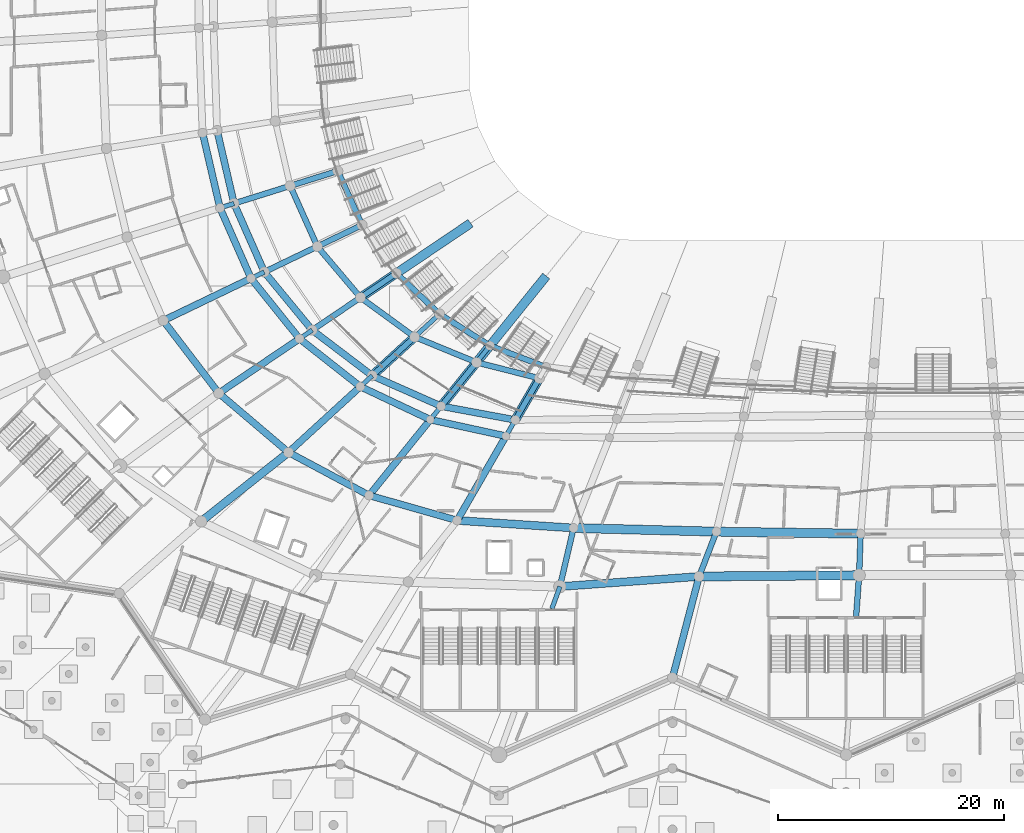
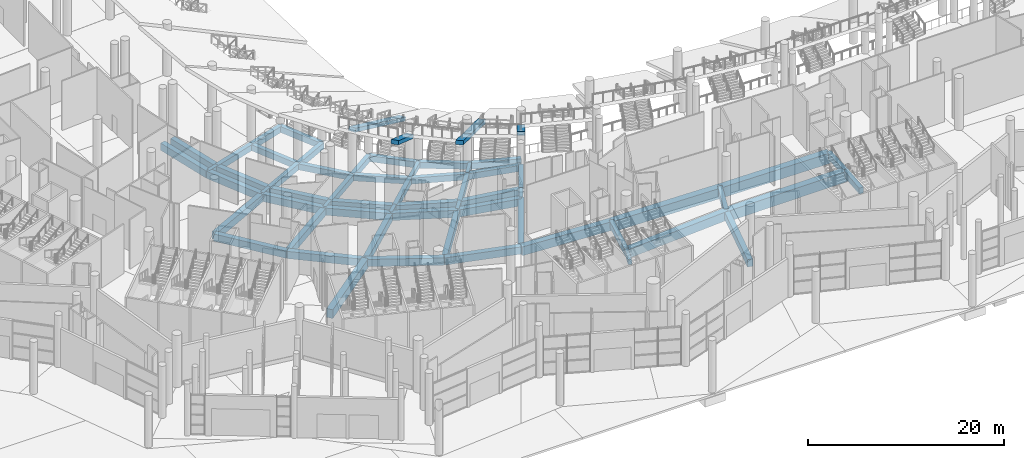
# One storey, part 22 of 255: 64 beams.
"""IFC4 building model written with IfcOpenShell, lengths in metres."""

from ifc_helpers import new_model, si_unit, direction, frame, origin, origin_2d, place, context, subcontext, project, spatial, rectangle, extrude, material, material_profile, profile_set, type_object, element, save


model = new_model("IFC4")

# Units and contexts
model_context = context("Model", 3, precision=1e-05, world=origin(), true_north=direction((0.0, 1.0)))
body_context = subcontext(model_context, "Body", "Model", "MODEL_VIEW")
ifc_project = project(units=[si_unit("LENGTHUNIT", "METRE"), si_unit("AREAUNIT", "SQUARE_METRE"), si_unit("VOLUMEUNIT", "CUBIC_METRE"), si_unit("PLANEANGLEUNIT", "RADIAN"), si_unit("MASSUNIT", "GRAM", prefix="KILO")], contexts=[model_context])

# Site, building, storey
site_placement = place(None, origin())
site = spatial("IfcSite", under=ifc_project, at=site_placement, CompositionType="ELEMENT")
building_placement = place(site_placement, origin())
building = spatial("IfcBuilding", under=site, at=building_placement, Name="Meseta Stadium", CompositionType="ELEMENT")
storey_placement = place(building_placement, origin())
storey = spatial("IfcBuildingStorey", under=building, at=storey_placement, Name="L00", CompositionType="ELEMENT", Elevation=0.0)

# Beams
ifc_material_1 = material(Name="Concrete C40/50", Category="concrete")
ifc_material_profile_1 = material_profile(ifc_material_1, rectangle(XDim=0.39990234375, YDim=0.60009765625, at=origin_2d()), Name="RC 400x600")
ifc_profile_set_1 = profile_set([ifc_material_profile_1], Name="Concrete C40/50")
beam_type_1 = type_object("IfcBeamType", Name="RC beam 400x600", PredefinedType="BEAM", material=ifc_profile_set_1)
beam_1_placement = place(storey_placement, frame((-61.72314453125, -56.715576171875, -0.699951171875), z_axis=(-0.954202212312, -0.299162394059, 0.0), x_axis=(0.299162394059, -0.954202212312, 0.0)))
element("IfcBeam", 1, at=beam_1_placement, inside=storey, type_object=beam_type_1, Name="L00 radial beam frame 38 line C to D", PredefinedType="BEAM", context=body_context, shape_type="SweptSolid", body=[
    extrude(rectangle(XDim=0.39990234375, YDim=0.60009765625, at=origin_2d()), origin(), (0.0, 0.0, 1.0), 1.300048828125),
])
beam_2_placement = place(storey_placement, frame((-59.049072265625, -62.766357421875, -0.699951171875), z_axis=(-0.901186215953, -0.433432121762, 0.0), x_axis=(0.433432121762, -0.901186215953, 0.0)))
element("IfcBeam", 2, at=beam_2_placement, inside=storey, type_object=beam_type_1, Name="L00 radial beam frame 39 line C to D", PredefinedType="BEAM", context=body_context, shape_type="SweptSolid", body=[
    extrude(rectangle(XDim=0.39990234375, YDim=0.60009765625, at=origin_2d()), origin(), (0.0, 0.0, 1.0), 1.3017578125),
])
beam_3_placement = place(storey_placement, frame((-54.819580078125, -67.901611328125, -0.699951171875), z_axis=(-0.828785870945, -0.559565885416, 0.0), x_axis=(0.559565885416, -0.828785870945, 0.0)))
element("IfcBeam", 3, at=beam_3_placement, inside=storey, type_object=beam_type_1, Name="L00 radial beam frame 40 line C to D", PredefinedType="BEAM", context=body_context, shape_type="SweptSolid", body=[
    extrude(rectangle(XDim=0.39990234375, YDim=0.60009765625, at=origin_2d()), origin(), (0.0, 0.0, 1.0), 1.35205078125),
])
beam_4_placement = place(storey_placement, frame((-43.5693359375, -66.478759765625, -0.699951171875), z_axis=(-0.737617825798, -0.675218440999, 0.0), x_axis=(0.675218440999, -0.737617825798, 0.0)))
element("IfcBeam", 4, at=beam_4_placement, inside=storey, type_object=beam_type_1, Name="L00 radial beam frame 41 line B to U", PredefinedType="BEAM", context=body_context, shape_type="SweptSolid", body=[
    extrude(rectangle(XDim=0.39990234375, YDim=0.60009765625, at=origin_2d()), origin(), (0.0, 0.0, 1.0), 2.9931640625),
])
beam_5_placement = place(storey_placement, frame((-49.518310546875, -71.924560546875, -0.699951171875), z_axis=(-0.737537238319, -0.675306465313, 0.0), x_axis=(0.675306465313, -0.737537238319, 0.0)))
element("IfcBeam", 5, at=beam_5_placement, inside=storey, type_object=beam_type_1, Name="L00 radial beam frame 41 line C to D", PredefinedType="BEAM", context=body_context, shape_type="SweptSolid", body=[
    extrude(rectangle(XDim=0.39990234375, YDim=0.60009765625, at=origin_2d()), origin(), (0.0, 0.0, 1.0), 1.427978515625),
])
beam_6_placement = place(storey_placement, frame((-39.11865234375, -69.274658203125, -0.699951171875), z_axis=(-0.628006940143, -0.778207737775, 0.0), x_axis=(0.778207737775, -0.628006940143, 0.0)))
element("IfcBeam", 6, at=beam_6_placement, inside=storey, type_object=beam_type_1, Name="L00 radial beam frame 42 line B to U", PredefinedType="BEAM", context=body_context, shape_type="SweptSolid", body=[
    extrude(rectangle(XDim=0.39990234375, YDim=0.60009765625, at=origin_2d()), origin(), (0.0, 0.0, 1.0), 1.8935546875),
])
beam_7_placement = place(storey_placement, frame((-43.430419921875, -74.617431640625, -0.699951171875), z_axis=(-0.628002290607, -0.778211489887, 0.0), x_axis=(0.778211489887, -0.628002290607, 0.0)))
element("IfcBeam", 7, at=beam_7_placement, inside=storey, type_object=beam_type_1, Name="L00 radial beam frame 42 line C to D", PredefinedType="BEAM", context=body_context, shape_type="SweptSolid", body=[
    extrude(rectangle(XDim=0.39990234375, YDim=0.60009765625, at=origin_2d()), origin(), (0.0, 0.0, 1.0), 1.52783203125),
])
beam_8_placement = place(storey_placement, frame((-36.885986328125, -75.8330078125, -0.699951171875), z_axis=(-0.500371262739, -0.865810949009, 0.0), x_axis=(0.865810949009, -0.500371262739, 0.0)))
element("IfcBeam", 8, at=beam_8_placement, inside=storey, type_object=beam_type_1, Name="L00 radial beam frame 43 line C to D", PredefinedType="BEAM", context=body_context, shape_type="SweptSolid", body=[
    extrude(rectangle(XDim=0.39990234375, YDim=0.60009765625, at=origin_2d()), origin(), (0.0, 0.0, 1.0), 1.650146484375),
])
beam_9_placement = place(storey_placement, frame((-32.944091796875, -90.551025390625, -0.699951171875), z_axis=(-0.341128443291, -0.940016694095, 0.0), x_axis=(0.940016694095, -0.341128443291, 0.0)))
element("IfcBeam", 9, at=beam_9_placement, inside=storey, type_object=beam_type_1, Name="L00 radial beam frame 44 line P to R", PredefinedType="BEAM", context=body_context, shape_type="SweptSolid", body=[
    extrude(rectangle(XDim=0.39990234375, YDim=0.60009765625, at=origin_2d()), origin(), (0.0, 0.0, 1.0), 2.0732421875),
])
ifc_material_2 = material(Name="Concrete C40/50", Category="concrete")
ifc_material_profile_2 = material_profile(ifc_material_2, rectangle(XDim=0.5, YDim=0.75, at=origin_2d()), Name="RC 500x750")
ifc_profile_set_2 = profile_set([ifc_material_profile_2], Name="Concrete C40/50")
beam_type_2 = type_object("IfcBeamType", Name="RC beam 500x750", PredefinedType="BEAM", material=ifc_profile_set_2)
beam_10_placement = place(storey_placement, frame((-52.562744140625, -53.843505859375, -0.77490234375), z_axis=(0.410234670031, -0.911979997316, 0.0), x_axis=(0.911979997316, 0.410234670031, 0.0)))
element("IfcBeam", 10, at=beam_10_placement, inside=storey, type_object=beam_type_2, Name="L00 ring beam frame 38 line B", PredefinedType="BEAM", context=body_context, shape_type="SweptSolid", body=[
    extrude(rectangle(XDim=0.5, YDim=0.75, at=origin_2d()), origin(), (0.0, 0.0, 1.0), 5.231689453125),
])
beam_11_placement = place(storey_placement, frame((-56.76123046875, -55.159912109375, -0.77490234375), z_axis=(0.408647140916, -0.912692453251, 0.0), x_axis=(0.912692453251, 0.408647140916, 0.0)))
element("IfcBeam", 11, at=beam_11_placement, inside=storey, type_object=beam_type_2, Name="L00 ring beam frame 38 line U", PredefinedType="BEAM", context=body_context, shape_type="SweptSolid", body=[
    extrude(rectangle(XDim=0.5, YDim=0.75, at=origin_2d()), origin(), (0.0, 0.0, 1.0), 5.86572265625),
])
beam_12_placement = place(storey_placement, frame((-54.3642578125, -60.513427734375, -0.77490234375), z_axis=(0.645643699587, -0.76363879759, 0.0), x_axis=(0.76363879759, 0.645643699587, 0.0)))
element("IfcBeam", 12, at=beam_12_placement, inside=storey, type_object=beam_type_2, Name="L00 ring beam frame 39 line U", PredefinedType="BEAM", context=body_context, shape_type="SweptSolid", body=[
    extrude(rectangle(XDim=0.5, YDim=0.75, at=origin_2d()), origin(), (0.0, 0.0, 1.0), 5.903076171875),
])
beam_13_placement = place(storey_placement, frame((-47.38134765625, -62.880126953125, -0.77490234375), z_axis=(0.727165536256, -0.686462149635, 0.0), x_axis=(0.686462149635, 0.727165536256, 0.0)))
element("IfcBeam", 13, at=beam_13_placement, inside=storey, type_object=beam_type_2, Name="L00 ring beam frame 40 line B", PredefinedType="BEAM", context=body_context, shape_type="SweptSolid", body=[
    extrude(rectangle(XDim=0.5, YDim=0.75, at=origin_2d()), origin(), (0.0, 0.0, 1.0), 5.2421875),
])
beam_14_placement = place(storey_placement, frame((-50.552978515625, -65.021240234375, -0.77490234375), z_axis=(0.808321333324, -0.58874155798, 0.0), x_axis=(0.58874155798, 0.808321333324, 0.0)))
element("IfcBeam", 14, at=beam_14_placement, inside=storey, type_object=beam_type_2, Name="L00 ring beam frame 40 line U", PredefinedType="BEAM", context=body_context, shape_type="SweptSolid", body=[
    extrude(rectangle(XDim=0.5, YDim=0.75, at=origin_2d()), origin(), (0.0, 0.0, 1.0), 5.908447265625),
])
beam_15_placement = place(storey_placement, frame((-43.5693359375, -66.478759765625, -0.77490234375), z_axis=(0.846780026323, -0.531943217853, 0.0), x_axis=(0.531943217853, 0.846780026323, 0.0)))
element("IfcBeam", 15, at=beam_15_placement, inside=storey, type_object=beam_type_2, Name="L00 ring beam frame 41 line B", PredefinedType="BEAM", context=body_context, shape_type="SweptSolid", body=[
    extrude(rectangle(XDim=0.5, YDim=0.75, at=origin_2d()), origin(), (0.0, 0.0, 1.0), 5.256103515625),
])
beam_16_placement = place(storey_placement, frame((-45.777099609375, -68.499755859375, -0.77490234375), z_axis=(0.924886587788, -0.380243079793, 0.0), x_axis=(0.380243079793, 0.924886587788, 0.0)))
element("IfcBeam", 16, at=beam_16_placement, inside=storey, type_object=beam_type_2, Name="L00 ring beam frame 41 line U", PredefinedType="BEAM", context=body_context, shape_type="SweptSolid", body=[
    extrude(rectangle(XDim=0.5, YDim=0.75, at=origin_2d()), origin(), (0.0, 0.0, 1.0), 5.913330078125),
])
beam_17_placement = place(storey_placement, frame((-39.11865234375, -69.274658203125, -0.77490234375), z_axis=(0.934070428282, -0.357088833497, 0.0), x_axis=(0.357088833497, 0.934070428282, 0.0)))
element("IfcBeam", 17, at=beam_17_placement, inside=storey, type_object=beam_type_2, Name="L00 ring beam frame 42 line B", PredefinedType="BEAM", context=body_context, shape_type="SweptSolid", body=[
    extrude(rectangle(XDim=0.5, YDim=0.75, at=origin_2d()), origin(), (0.0, 0.0, 1.0), 5.281494140625),
])
beam_18_placement = place(storey_placement, frame((-40.307861328125, -70.748291015625, -0.77490234375), z_axis=(0.969265492961, -0.246017081022, 0.0), x_axis=(0.246017081022, 0.969265492961, 0.0)))
element("IfcBeam", 18, at=beam_18_placement, inside=storey, type_object=beam_type_2, Name="L00 ring beam frame 42 line U", PredefinedType="BEAM", context=body_context, shape_type="SweptSolid", body=[
    extrude(rectangle(XDim=0.5, YDim=0.75, at=origin_2d()), origin(), (0.0, 0.0, 1.0), 5.722900390625),
])
beam_19_placement = place(storey_placement, frame((-52.562744140625, -53.843505859375, -0.77490234375), z_axis=(-0.954196192549, -0.299181593896, 0.0), x_axis=(0.299181593896, -0.954196192549, 0.0)))
element("IfcBeam", 19, at=beam_19_placement, inside=storey, type_object=beam_type_2, Name="L00 radial beam frame 38 line B to U", PredefinedType="BEAM", context=body_context, shape_type="SweptSolid", body=[
    extrude(rectangle(XDim=0.5, YDim=0.75, at=origin_2d()), origin(), (0.0, 0.0, 1.0), 4.39990234375),
])
beam_20_placement = place(storey_placement, frame((-56.76123046875, -55.159912109375, -0.77490234375), z_axis=(-0.954202212312, -0.299162394059, 0.0), x_axis=(0.299162394059, -0.954202212312, 0.0)))
element("IfcBeam", 20, at=beam_20_placement, inside=storey, type_object=beam_type_2, Name="L00 radial beam frame 38 line U to C", PredefinedType="BEAM", context=body_context, shape_type="SweptSolid", body=[
    extrude(rectangle(XDim=0.5, YDim=0.75, at=origin_2d()), origin(), (0.0, 0.0, 1.0), 5.199951171875),
])
beam_21_placement = place(storey_placement, frame((-50.41650390625, -58.61474609375, -0.77490234375), z_axis=(-0.901187960195, -0.433428495141, 0.0), x_axis=(0.433428495141, -0.901187960195, 0.0)))
element("IfcBeam", 21, at=beam_21_placement, inside=storey, type_object=beam_type_2, Name="L00 radial beam frame 39 line B to U", PredefinedType="BEAM", context=body_context, shape_type="SweptSolid", body=[
    extrude(rectangle(XDim=0.5, YDim=0.75, at=origin_2d()), origin(), (0.0, 0.0, 1.0), 4.380615234375),
])
beam_22_placement = place(storey_placement, frame((-54.3642578125, -60.513427734375, -0.77490234375), z_axis=(-0.90120621649, -0.433390534461, 0.0), x_axis=(0.433390534461, -0.90120621649, 0.0)))
element("IfcBeam", 22, at=beam_22_placement, inside=storey, type_object=beam_type_2, Name="L00 radial beam frame 39 line U to C", PredefinedType="BEAM", context=body_context, shape_type="SweptSolid", body=[
    extrude(rectangle(XDim=0.5, YDim=0.75, at=origin_2d()), origin(), (0.0, 0.0, 1.0), 5.198486328125),
])
beam_23_placement = place(storey_placement, frame((-47.38134765625, -62.880126953125, -0.77490234375), z_axis=(-0.828816868957, -0.559519970807, 0.0), x_axis=(0.559519970807, -0.828816868957, 0.0)))
element("IfcBeam", 23, at=beam_23_placement, inside=storey, type_object=beam_type_2, Name="L00 radial beam frame 40 line B to U", PredefinedType="BEAM", context=body_context, shape_type="SweptSolid", body=[
    extrude(rectangle(XDim=0.5, YDim=0.75, at=origin_2d()), origin(), (0.0, 0.0, 1.0), 3.82666015625),
])
beam_24_placement = place(storey_placement, frame((-50.552978515625, -65.021240234375, -0.77490234375), z_axis=(-0.828811285553, -0.559528241414, 0.0), x_axis=(0.559528241414, -0.828811285553, 0.0)))
element("IfcBeam", 24, at=beam_24_placement, inside=storey, type_object=beam_type_2, Name="L00 radial beam frame 40 line U to C", PredefinedType="BEAM", context=body_context, shape_type="SweptSolid", body=[
    extrude(rectangle(XDim=0.5, YDim=0.75, at=origin_2d()), origin(), (0.0, 0.0, 1.0), 5.14794921875),
])
beam_25_placement = place(storey_placement, frame((-45.777099609375, -68.499755859375, -0.77490234375), z_axis=(-0.737609522661, -0.675227511347, 0.0), x_axis=(0.675227511347, -0.737609522661, 0.0)))
element("IfcBeam", 25, at=beam_25_placement, inside=storey, type_object=beam_type_2, Name="L00 radial beam frame 41 line U to C", PredefinedType="BEAM", context=body_context, shape_type="SweptSolid", body=[
    extrude(rectangle(XDim=0.5, YDim=0.75, at=origin_2d()), origin(), (0.0, 0.0, 1.0), 5.072021484375),
])
beam_26_placement = place(storey_placement, frame((-40.307861328125, -70.748291015625, -0.77490234375), z_axis=(-0.62803074545, -0.778188526496, 0.0), x_axis=(0.778188526496, -0.62803074545, 0.0)))
element("IfcBeam", 26, at=beam_26_placement, inside=storey, type_object=beam_type_2, Name="L00 radial beam frame 42 line U to C", PredefinedType="BEAM", context=body_context, shape_type="SweptSolid", body=[
    extrude(rectangle(XDim=0.5, YDim=0.75, at=origin_2d()), origin(), (0.0, 0.0, 1.0), 4.971923828125),
])
beam_27_placement = place(storey_placement, frame((-34.7607421875, -72.15625, -0.77490234375), z_axis=(-0.500435623827, -0.865773750125, 0.0), x_axis=(0.865773750125, -0.500435623827, 0.0)))
element("IfcBeam", 27, at=beam_27_placement, inside=storey, type_object=beam_type_2, Name="L00 radial beam frame 43 line U to C", PredefinedType="BEAM", context=body_context, shape_type="SweptSolid", body=[
    extrude(rectangle(XDim=0.5, YDim=0.75, at=origin_2d()), origin(), (0.0, 0.0, 1.0), 4.246826171875),
])
beam_28_placement = place(storey_placement, frame((-31.73681640625, -85.376708984375, -0.77490234375), z_axis=(-0.22721799518, -0.973843921101, 0.0), x_axis=(0.973843921101, -0.22721799518, 0.0)))
element("IfcBeam", 28, at=beam_28_placement, inside=storey, type_object=beam_type_2, Name="L00 radial beam frame 44 line E to P", PredefinedType="BEAM", context=body_context, shape_type="SweptSolid", body=[
    extrude(rectangle(XDim=0.5, YDim=0.75, at=origin_2d()), origin(), (0.0, 0.0, 1.0), 5.313232421875),
])
beam_29_placement = place(storey_placement, frame((-19.11865234375, -85.6982421875, -0.77490234375), z_axis=(-0.360763299369, -0.932657408606, 0.0), x_axis=(0.932657408606, -0.360763299369, 0.0)))
element("IfcBeam", 29, at=beam_29_placement, inside=storey, type_object=beam_type_2, Name="L00 radial beam frame 45 line E to P", PredefinedType="BEAM", context=body_context, shape_type="SweptSolid", body=[
    extrude(rectangle(XDim=0.5, YDim=0.75, at=origin_2d()), origin(), (0.0, 0.0, 1.0), 4.243896484375),
])
beam_30_placement = place(storey_placement, frame((-6.386962890625, -85.876708984375, -0.77490234375), z_axis=(-0.035437776234, -0.999371884743, 0.0), x_axis=(0.999371884743, -0.035437776234, 0.0)))
element("IfcBeam", 30, at=beam_30_placement, inside=storey, type_object=beam_type_2, Name="L00 radial beam frame 46 line E to P", PredefinedType="BEAM", context=body_context, shape_type="SweptSolid", body=[
    extrude(rectangle(XDim=0.5, YDim=0.75, at=origin_2d()), origin(), (0.0, 0.0, 1.0), 3.671875),
])
beam_31_placement = place(storey_placement, frame((-6.51708984375, -89.54638671875, -0.77490234375), z_axis=(-0.072312695021, -0.997382010134, 0.0), x_axis=(0.997382010134, -0.072312695021, 0.0)))
element("IfcBeam", 31, at=beam_31_placement, inside=storey, type_object=beam_type_2, Name="L00 radial beam frame 46 line P to R", PredefinedType="BEAM", context=body_context, shape_type="SweptSolid", body=[
    extrude(rectangle(XDim=0.5, YDim=0.75, at=origin_2d()), origin(), (0.0, 0.0, 1.0), 3.6630859375),
])
ifc_material_3 = material(Name="Concrete C40/50", Category="concrete")
ifc_material_profile_3 = material_profile(ifc_material_3, rectangle(XDim=0.60009765625, YDim=0.89990234375, at=origin_2d()), Name="RC 600x900")
ifc_profile_set_3 = profile_set([ifc_material_profile_3], Name="Concrete C40/50")
beam_type_3 = type_object("IfcBeamType", Name="RC beam 600x900", PredefinedType="BEAM", material=ifc_profile_set_3)
beam_32_placement = place(storey_placement, frame((-63.21826171875, -50.27294921875, -0.85009765625), z_axis=(0.226059029022, -0.974113604975, 0.0), x_axis=(0.974113604975, 0.226059029022, 0.0)))
element("IfcBeam", 32, at=beam_32_placement, inside=storey, type_object=beam_type_3, Name="L00 ring beam frame 37 line C", PredefinedType="BEAM", context=body_context, shape_type="SweptSolid", body=[
    extrude(rectangle(XDim=0.60009765625, YDim=0.89990234375, at=origin_2d()), origin(), (0.0, 0.0, 1.0), 6.61376953125),
])
beam_33_placement = place(storey_placement, frame((-64.501708984375, -50.479736328125, -0.85009765625), z_axis=(0.226157078617, -0.974090845759, 0.0), x_axis=(0.974090845759, 0.226157078617, 0.0)))
element("IfcBeam", 33, at=beam_33_placement, inside=storey, type_object=beam_type_3, Name="L00 ring beam frame 37 line D", PredefinedType="BEAM", context=body_context, shape_type="SweptSolid", body=[
    extrude(rectangle(XDim=0.60009765625, YDim=0.89990234375, at=origin_2d()), origin(), (0.0, 0.0, 1.0), 6.801025390625),
])
beam_34_placement = place(storey_placement, frame((-61.72314453125, -56.715576171875, -0.85009765625), z_axis=(0.404223446973, -0.914660267486, 0.0), x_axis=(0.914660267486, 0.404223446973, 0.0)))
element("IfcBeam", 34, at=beam_34_placement, inside=storey, type_object=beam_type_3, Name="L00 ring beam frame 38 line C", PredefinedType="BEAM", context=body_context, shape_type="SweptSolid", body=[
    extrude(rectangle(XDim=0.60009765625, YDim=0.89990234375, at=origin_2d()), origin(), (0.0, 0.0, 1.0), 6.615234375),
])
beam_35_placement = place(storey_placement, frame((-62.963623046875, -57.1044921875, -0.85009765625), z_axis=(0.402982741988, -0.915207577361, 0.0), x_axis=(0.915207577361, 0.402982741988, 0.0)))
element("IfcBeam", 35, at=beam_35_placement, inside=storey, type_object=beam_type_3, Name="L00 ring beam frame 38 line D", PredefinedType="BEAM", context=body_context, shape_type="SweptSolid", body=[
    extrude(rectangle(XDim=0.60009765625, YDim=0.89990234375, at=origin_2d()), origin(), (0.0, 0.0, 1.0), 6.802978515625),
])
beam_36_placement = place(storey_placement, frame((-59.049072265625, -62.766357421875, -0.85009765625), z_axis=(0.635748413749, -0.771896336573, 0.0), x_axis=(0.771896336573, 0.635748413749, 0.0)))
element("IfcBeam", 36, at=beam_36_placement, inside=storey, type_object=beam_type_3, Name="L00 ring beam frame 39 line C", PredefinedType="BEAM", context=body_context, shape_type="SweptSolid", body=[
    extrude(rectangle(XDim=0.60009765625, YDim=0.89990234375, at=origin_2d()), origin(), (0.0, 0.0, 1.0), 6.65283203125),
])
beam_37_placement = place(storey_placement, frame((-60.22216796875, -63.33056640625, -0.85009765625), z_axis=(0.626466293445, -0.779448512204, 0.0), x_axis=(0.779448512204, 0.626466293445, 0.0)))
element("IfcBeam", 37, at=beam_37_placement, inside=storey, type_object=beam_type_3, Name="L00 ring beam frame 39 line D", PredefinedType="BEAM", context=body_context, shape_type="SweptSolid", body=[
    extrude(rectangle(XDim=0.60009765625, YDim=0.89990234375, at=origin_2d()), origin(), (0.0, 0.0, 1.0), 6.835205078125),
])
beam_38_placement = place(storey_placement, frame((-67.972412109375, -67.057861328125, -0.85009765625), z_axis=(0.607521948786, -0.794302890428, 0.0), x_axis=(0.794302890428, 0.607521948786, 0.0)))
element("IfcBeam", 38, at=beam_38_placement, inside=storey, type_object=beam_type_3, Name="L00 ring beam frame 39 line E", PredefinedType="BEAM", context=body_context, shape_type="SweptSolid", body=[
    extrude(rectangle(XDim=0.60009765625, YDim=0.89990234375, at=origin_2d()), origin(), (0.0, 0.0, 1.0), 8.072509765625),
])
beam_39_placement = place(storey_placement, frame((-54.819580078125, -67.901611328125, -0.85009765625), z_axis=(0.796597456173, -0.604510126316, 0.0), x_axis=(0.604510126316, 0.796597456173, 0.0)))
element("IfcBeam", 39, at=beam_39_placement, inside=storey, type_object=beam_type_3, Name="L00 ring beam frame 40 line C", PredefinedType="BEAM", context=body_context, shape_type="SweptSolid", body=[
    extrude(rectangle(XDim=0.60009765625, YDim=0.89990234375, at=origin_2d()), origin(), (0.0, 0.0, 1.0), 6.65478515625),
])
beam_40_placement = place(storey_placement, frame((-55.940185546875, -68.658203125, -0.85009765625), z_axis=(0.785430108596, -0.618950357065, 0.0), x_axis=(0.618950357065, 0.785430108596, 0.0)))
element("IfcBeam", 40, at=beam_40_placement, inside=storey, type_object=beam_type_3, Name="L00 ring beam frame 40 line D", PredefinedType="BEAM", context=body_context, shape_type="SweptSolid", body=[
    extrude(rectangle(XDim=0.60009765625, YDim=0.89990234375, at=origin_2d()), origin(), (0.0, 0.0, 1.0), 6.835205078125),
])
beam_41_placement = place(storey_placement, frame((-63.068115234375, -73.469970703125, -0.85009765625), z_axis=(0.762201166724, -0.647340236231, 0.0), x_axis=(0.647340236231, 0.762201166724, 0.0)))
element("IfcBeam", 41, at=beam_41_placement, inside=storey, type_object=beam_type_3, Name="L00 ring beam frame 40 line E", PredefinedType="BEAM", context=body_context, shape_type="SweptSolid", body=[
    extrude(rectangle(XDim=0.60009765625, YDim=0.89990234375, at=origin_2d()), origin(), (0.0, 0.0, 1.0), 8.07275390625),
])
beam_42_placement = place(storey_placement, frame((-49.518310546875, -71.924560546875, -0.85009765625), z_axis=(0.914526988421, -0.404524891013, 0.0), x_axis=(0.404524891013, 0.914526988421, 0.0)))
element("IfcBeam", 42, at=beam_42_placement, inside=storey, type_object=beam_type_3, Name="L00 ring beam frame 41 line C", PredefinedType="BEAM", context=body_context, shape_type="SweptSolid", body=[
    extrude(rectangle(XDim=0.60009765625, YDim=0.89990234375, at=origin_2d()), origin(), (0.0, 0.0, 1.0), 6.656982421875),
])
beam_43_placement = place(storey_placement, frame((-50.571533203125, -72.888916015625, -0.85009765625), z_axis=(0.904340564666, -0.426811601412, 0.0), x_axis=(0.426811601412, 0.904340564666, 0.0)))
element("IfcBeam", 43, at=beam_43_placement, inside=storey, type_object=beam_type_3, Name="L00 ring beam frame 41 line D", PredefinedType="BEAM", context=body_context, shape_type="SweptSolid", body=[
    extrude(rectangle(XDim=0.60009765625, YDim=0.89990234375, at=origin_2d()), origin(), (0.0, 0.0, 1.0), 6.83544921875),
])
beam_44_placement = place(storey_placement, frame((-56.9150390625, -78.69580078125, -0.85009765625), z_axis=(0.882172948557, -0.47092556613, 0.0), x_axis=(0.47092556613, 0.882172948557, 0.0)))
element("IfcBeam", 44, at=beam_44_placement, inside=storey, type_object=beam_type_3, Name="L00 ring beam frame 41 line E", PredefinedType="BEAM", context=body_context, shape_type="SweptSolid", body=[
    extrude(rectangle(XDim=0.60009765625, YDim=0.89990234375, at=origin_2d()), origin(), (0.0, 0.0, 1.0), 8.075439453125),
])
beam_45_placement = place(storey_placement, frame((-43.430419921875, -74.617431640625, -0.85009765625), z_axis=(0.983183844392, -0.182618531718, 0.0), x_axis=(0.182618531718, 0.983183844392, 0.0)))
element("IfcBeam", 45, at=beam_45_placement, inside=storey, type_object=beam_type_3, Name="L00 ring beam frame 42 line C", PredefinedType="BEAM", context=body_context, shape_type="SweptSolid", body=[
    extrude(rectangle(XDim=0.60009765625, YDim=0.89990234375, at=origin_2d()), origin(), (0.0, 0.0, 1.0), 6.65625),
])
beam_46_placement = place(storey_placement, frame((-44.389892578125, -75.806396484375, -0.85009765625), z_axis=(0.977068887475, -0.212923434899, 0.0), x_axis=(0.212923434899, 0.977068887475, 0.0)))
element("IfcBeam", 46, at=beam_46_placement, inside=storey, type_object=beam_type_3, Name="L00 ring beam frame 42 line D", PredefinedType="BEAM", context=body_context, shape_type="SweptSolid", body=[
    extrude(rectangle(XDim=0.60009765625, YDim=0.89990234375, at=origin_2d()), origin(), (0.0, 0.0, 1.0), 6.8349609375),
])
beam_47_placement = place(storey_placement, frame((-49.791015625, -82.498779296875, -0.85009765625), z_axis=(0.961951325549, -0.273220876351, 0.0), x_axis=(0.273220876351, 0.961951325549, 0.0)))
element("IfcBeam", 47, at=beam_47_placement, inside=storey, type_object=beam_type_3, Name="L00 ring beam frame 42 line E", PredefinedType="BEAM", context=body_context, shape_type="SweptSolid", body=[
    extrude(rectangle(XDim=0.60009765625, YDim=0.89990234375, at=origin_2d()), origin(), (0.0, 0.0, 1.0), 8.083251953125),
])
beam_48_placement = place(storey_placement, frame((-60.22216796875, -63.33056640625, -0.85009765625), z_axis=(-0.901197200503, -0.433409282094, 0.0), x_axis=(0.433409282094, -0.901197200503, 0.0)))
element("IfcBeam", 48, at=beam_48_placement, inside=storey, type_object=beam_type_3, Name="L00 radial beam frame 39 line D to E", PredefinedType="BEAM", context=body_context, shape_type="SweptSolid", body=[
    extrude(rectangle(XDim=0.60009765625, YDim=0.89990234375, at=origin_2d()), origin(), (0.0, 0.0, 1.0), 8.599853515625),
])
for number, where, z_axis, x_axis, name in (
    (49, (-55.940185546875, -68.658203125, -0.85009765625), (-0.828826294275, -0.559506008832, 0.0), (0.559506008832, -0.828826294275, 0.0), "L00 radial beam frame 40 line D to E"),
    (50, (-50.571533203125, -72.888916015625, -0.85009765625), (-0.737617073742, -0.675219262554, 0.0), (0.675219262554, -0.737617073742, 0.0), "L00 radial beam frame 41 line D to E"),
    (51, (-44.389892578125, -75.806396484375, -0.85009765625), (-0.628037063111, -0.778183427836, 0.0), (0.778183427836, -0.628037063111, 0.0), "L00 radial beam frame 42 line D to E"),
):
    element("IfcBeam", number, at=place(storey_placement, frame(where, z_axis=z_axis, x_axis=x_axis)), inside=storey, type_object=beam_type_3, Name=name, PredefinedType="BEAM", context=body_context, shape_type="SweptSolid", body=[
        extrude(rectangle(XDim=0.60009765625, YDim=0.89990234375, at=origin_2d()), origin(), (0.0, 0.0, 1.0), 8.60009765625),
    ])
beam_49_placement = place(storey_placement, frame((-37.711669921875, -77.26171875, -0.85009765625), z_axis=(-0.500437453612, -0.865772692467, 0.0), x_axis=(0.865772692467, -0.500437453612, 0.0)))
element("IfcBeam", 52, at=beam_49_placement, inside=storey, type_object=beam_type_3, Name="L00 radial beam frame 43 line D to E", PredefinedType="BEAM", context=body_context, shape_type="SweptSolid", body=[
    extrude(rectangle(XDim=0.60009765625, YDim=0.89990234375, at=origin_2d()), origin(), (0.0, 0.0, 1.0), 8.599853515625),
])
beam_50_placement = place(storey_placement, frame((-20.649658203125, -89.65625, -0.85009765625), z_axis=(-0.254159308712, -0.967162367855, 0.0), x_axis=(0.967162367855, -0.254159308712, 0.0)))
element("IfcBeam", 53, at=beam_50_placement, inside=storey, type_object=beam_type_3, Name="L00 radial beam frame 45 line P to R", PredefinedType="BEAM", context=body_context, shape_type="SweptSolid", body=[
    extrude(rectangle(XDim=0.60009765625, YDim=0.89990234375, at=origin_2d()), origin(), (0.0, 0.0, 1.0), 9.24755859375),
])
ifc_material_4 = material(Name="Concrete C40/50", Category="concrete")
ifc_material_profile_4 = material_profile(ifc_material_4, rectangle(XDim=0.699951171875, YDim=1.10009765625, at=origin_2d()), Name="RC 700x1100")
ifc_profile_set_4 = profile_set([ifc_material_profile_4], Name="Concrete C40/50")
beam_type_4 = type_object("IfcBeamType", Name="RC beam 700x1100", PredefinedType="BEAM", material=ifc_profile_set_4)
beam_51_placement = place(storey_placement, frame((-42.015380859375, -84.707275390625, -0.949951171875), z_axis=(0.997885824096, -0.064991399959, 0.0), x_axis=(0.064991399959, 0.997885824096, 0.0)))
element("IfcBeam", 54, at=beam_51_placement, inside=storey, type_object=beam_type_4, Name="L00 ring beam frame 43 line E", PredefinedType="BEAM", context=body_context, shape_type="SweptSolid", body=[
    extrude(rectangle(XDim=0.699951171875, YDim=1.10009765625, at=origin_2d()), origin(), (0.0, 0.0, 1.0), 10.30029296875),
])
beam_52_placement = place(storey_placement, frame((-32.944091796875, -90.551025390625, -0.949951171875), z_axis=(0.99736209032, 0.072586918881, 0.0), x_axis=(-0.072586918881, 0.99736209032, 0.0)))
element("IfcBeam", 55, at=beam_52_placement, inside=storey, type_object=beam_type_4, Name="L00 ring beam frame 44 line P", PredefinedType="BEAM", context=body_context, shape_type="SweptSolid", body=[
    extrude(rectangle(XDim=0.699951171875, YDim=1.10009765625, at=origin_2d()), origin(), (0.0, 0.0, 1.0), 12.326904296875),
])
beam_53_placement = place(storey_placement, frame((-56.9150390625, -78.69580078125, -0.949951171875), z_axis=(-0.784279521113, -0.620407634352, 0.0), x_axis=(0.620407634352, -0.784279521113, 0.0)))
element("IfcBeam", 56, at=beam_53_placement, inside=storey, type_object=beam_type_4, Name="L00 radial beam frame 41 line E to P", PredefinedType="BEAM", context=body_context, shape_type="SweptSolid", body=[
    extrude(rectangle(XDim=0.699951171875, YDim=1.10009765625, at=origin_2d()), origin(), (0.0, 0.0, 1.0), 9.826904296875),
])
ifc_material_5 = material(Name="Concrete C40/50", Category="concrete")
ifc_material_profile_5 = material_profile(ifc_material_5, rectangle(XDim=0.800048828125, YDim=1.300048828125, at=origin_2d()), Name="RC 800x1300")
ifc_profile_set_5 = profile_set([ifc_material_profile_5], Name="Concrete C40/50")
beam_type_5 = type_object("IfcBeamType", Name="RC beam 800x1300", PredefinedType="BEAM", material=ifc_profile_set_5)
beam_54_placement = place(storey_placement, frame((-31.73681640625, -85.376708984375, -1.050048828125), z_axis=(0.999675497622, -0.02547350496, 0.0), x_axis=(0.02547350496, 0.999675497622, 0.0)))
element("IfcBeam", 57, at=beam_54_placement, inside=storey, type_object=beam_type_5, Name="L00 ring beam frame 44 line E", PredefinedType="BEAM", context=body_context, shape_type="SweptSolid", body=[
    extrude(rectangle(XDim=0.800048828125, YDim=1.300048828125, at=origin_2d()), origin(), (0.0, 0.0, 1.0), 12.622314453125),
])
beam_55_placement = place(storey_placement, frame((-19.11865234375, -85.6982421875, -1.050048828125), z_axis=(0.999901768948, -0.014016149746, 0.0), x_axis=(0.014016149746, 0.999901768948, 0.0)))
element("IfcBeam", 58, at=beam_55_placement, inside=storey, type_object=beam_type_5, Name="L00 ring beam frame 45 line E", PredefinedType="BEAM", context=body_context, shape_type="SweptSolid", body=[
    extrude(rectangle(XDim=0.800048828125, YDim=1.300048828125, at=origin_2d()), origin(), (0.0, 0.0, 1.0), 12.73291015625),
])
beam_56_placement = place(storey_placement, frame((-20.649658203125, -89.65625, -1.050048828125), z_axis=(0.999969785649, 0.007773531251, 0.0), x_axis=(-0.007773531251, 0.999969785649, 0.0)))
element("IfcBeam", 59, at=beam_56_placement, inside=storey, type_object=beam_type_5, Name="L00 ring beam frame 45 line P", PredefinedType="BEAM", context=body_context, shape_type="SweptSolid", body=[
    extrude(rectangle(XDim=0.800048828125, YDim=1.300048828125, at=origin_2d()), origin(), (0.0, 0.0, 1.0), 14.133056640625),
])
ifc_material_6 = material(Name="Concrete C40/50", Category="concrete")
ifc_material_profile_6 = material_profile(ifc_material_6, rectangle(XDim=0.800048828125, YDim=0.449951171875, at=origin_2d()), Name="RC 800x450")
ifc_profile_set_6 = profile_set([ifc_material_profile_6], Name="Concrete C40/50")
beam_type_6 = type_object("IfcBeamType", Name="RC raker lower 800x450", PredefinedType="USERDEFINED", material=ifc_profile_set_6)
beam_57_placement = place(storey_placement, frame((-40.91650390625, -58.51611328125, -0.803955078125), z_axis=(-0.738748342536, -0.498693967391, 0.453381972831), x_axis=(0.559502787973, -0.828828468533, 0.0)))
element("IfcBeam", 60, at=beam_57_placement, inside=storey, type_object=beam_type_6, Name="Raker lower frame 40 lower tier", ObjectType="RAKER", PredefinedType="USERDEFINED", context=body_context, shape_type="SweptSolid", body=[
    extrude(rectangle(XDim=0.800048828125, YDim=0.449951171875, at=origin_2d()), origin(), (0.0, 0.0, 1.0), 13.04443359375),
])
beam_58_placement = place(storey_placement, frame((-45.777099609375, -68.499755859375, 4.748046875), z_axis=(-0.657451593534, -0.601848796274, 0.453360153281), x_axis=(0.675227511347, -0.737609522661, 0.0)))
element("IfcBeam", 61, at=beam_58_placement, inside=storey, type_object=beam_type_6, Name="Raker lower frame 41 lower tier", ObjectType="RAKER", PredefinedType="USERDEFINED", context=body_context, shape_type="SweptSolid", body=[
    extrude(rectangle(XDim=0.800048828125, YDim=0.449951171875, at=origin_2d()), origin(), (0.0, 0.0, 1.0), 5.6904296875),
])
beam_59_placement = place(storey_placement, frame((-34.219970703125, -63.204833984375, -0.68359375), z_axis=(-0.559800472528, -0.693644329491, 0.453300093892), x_axis=(0.778188287277, -0.628031041865, 0.0)))
element("IfcBeam", 62, at=beam_59_placement, inside=storey, type_object=beam_type_6, Name="Raker lower frame 42 lower tier", ObjectType="RAKER", PredefinedType="USERDEFINED", context=body_context, shape_type="SweptSolid", body=[
    extrude(rectangle(XDim=0.800048828125, YDim=0.449951171875, at=origin_2d()), origin(), (0.0, 0.0, 1.0), 10.875),
])
beam_60_placement = place(storey_placement, frame((-40.307861328125, -70.748291015625, 4.24609375), z_axis=(-0.559786273019, -0.693627275591, 0.453343722903), x_axis=(0.778188526496, -0.62803074545, 0.0)))
element("IfcBeam", 63, at=beam_60_placement, inside=storey, type_object=beam_type_6, Name="Raker lower frame 42 lower tier", ObjectType="RAKER", PredefinedType="USERDEFINED", context=body_context, shape_type="SweptSolid", body=[
    extrude(rectangle(XDim=0.800048828125, YDim=0.449951171875, at=origin_2d()), origin(), (0.0, 0.0, 1.0), 5.578125),
])
beam_61_placement = place(storey_placement, frame((-34.7607421875, -72.15625, 4.202880859375), z_axis=(-0.446037730882, -0.771663208165, 0.453416183868), x_axis=(0.865773750125, -0.500435623827, 0.0)))
element("IfcBeam", 64, at=beam_61_placement, inside=storey, type_object=beam_type_6, Name="Raker lower frame 43 lower tier", ObjectType="RAKER", PredefinedType="USERDEFINED", context=body_context, shape_type="SweptSolid", body=[
    extrude(rectangle(XDim=0.800048828125, YDim=0.449951171875, at=origin_2d()), origin(), (0.0, 0.0, 1.0), 4.7646484375),
])

save(model, "model.ifc")
